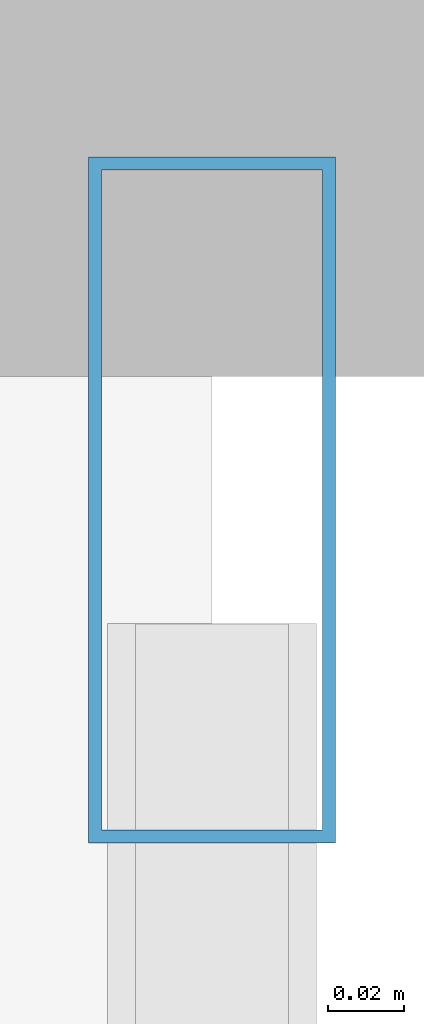
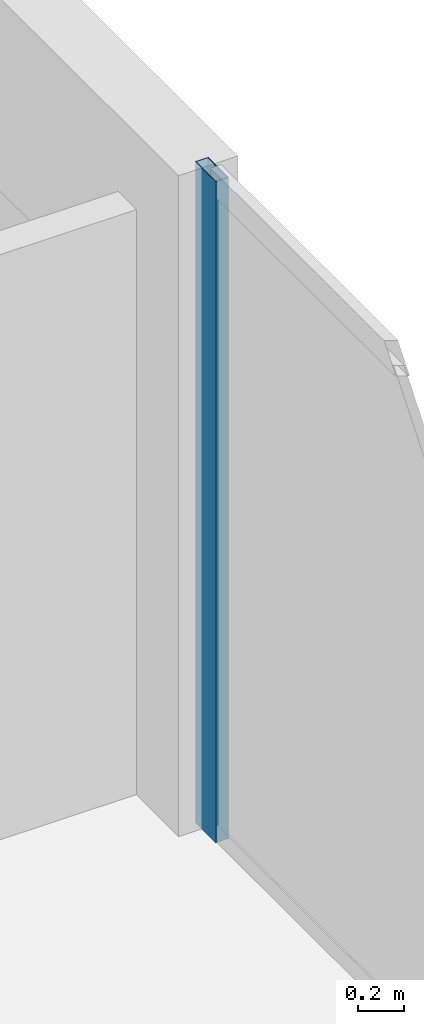
# One storey, part 21 of 32: 1 member, 1 element without a shape of its own.
"""IFC4 building model written with IfcOpenShell, lengths in metres."""

from ifc_helpers import new_model, si_unit, direction, frame, origin, origin_2d, place, context, subcontext, project, spatial, hollow_rectangle, extrude, material, layer, layer_set, material_profile, profile_set, type_object, element, aggregate, save


model = new_model("IFC4")

# Units and contexts
model_context = context("Model", 3, precision=1e-05, world=origin(), true_north=direction((0.0, 1.0)))
body_context = subcontext(model_context, "Body", "Model", "MODEL_VIEW")
ifc_project = project(units=[si_unit("LENGTHUNIT", "METRE"), si_unit("AREAUNIT", "SQUARE_METRE"), si_unit("VOLUMEUNIT", "CUBIC_METRE"), si_unit("PLANEANGLEUNIT", "RADIAN"), si_unit("MASSUNIT", "GRAM", prefix="KILO")], contexts=[model_context])

# Site, building, storey
site_placement = place(None, origin())
site = spatial("IfcSite", under=ifc_project, at=site_placement, CompositionType="ELEMENT")
building_placement = place(site_placement, origin())
building = spatial("IfcBuilding", under=site, at=building_placement, Name="Zuhayl Quay Hotel", CompositionType="ELEMENT")
storey_placement = place(building_placement, frame((0.0, 0.0, 203.64990234375)))
storey = spatial("IfcBuildingStorey", under=building, at=storey_placement, Name="L51", CompositionType="ELEMENT", Elevation=203.64990234375)

# Curtain wall, member
ifc_material_1 = material(Name="Anodised Aluminium 6063-T6", Category="aluminium")
ifc_layer = layer(ifc_material_1, 0.175048828125, Name="Anodised Aluminium 6063-T6", Category="aluminium")
ifc_layer_set = layer_set([ifc_layer], Name="Anodised Aluminium 6063-T6")
curtain_wall_type = type_object("IfcCurtainWallType", Name="CW_SYS_Z3", PredefinedType="USERDEFINED", material=ifc_layer_set)
curtain_wall_placement = place(storey_placement, origin())
curtain_wall = element("IfcCurtainWall", 1, at=curtain_wall_placement, inside=storey, type_object=curtain_wall_type, Name="L51 Curtain Wall ENV_L51_E11_CW1", ObjectType="UNITISED CURTAIN WALL", PredefinedType="USERDEFINED")
ifc_material_2 = material(Name="Black-anodised aluminium 6063-T6", Category="aluminium")
ifc_material_profile = material_profile(ifc_material_2, hollow_rectangle(XDim=0.06494140625, YDim=0.179931640625, WallThickness=0.00341796875, at=origin_2d()), Name="ALU180X65")
ifc_profile_set = profile_set([ifc_material_profile], Name="Black-anodised aluminium 6063-T6")
member_type = type_object("IfcMemberType", Name="MB_CW_MUL_180", PredefinedType="MULLION", material=ifc_profile_set)
member_placement = place(storey_placement, frame((22.10009765625, 24.517578125, 0.0), z_axis=(0.0, 0.0, 1.0), x_axis=(1.0, 0.0, 0.0)))
member = element("IfcMember", 2, at=member_placement, type_object=member_type, Name="CW-Z3 mullion 1", PredefinedType="MULLION", context=body_context, shape_type="SweptSolid", body=[
    extrude(hollow_rectangle(XDim=0.06494140625, YDim=0.179931640625, WallThickness=0.00341796875, at=origin_2d()), origin(), (0.0, 0.0, 1.0), 3.530029296875),
])
aggregate(curtain_wall, [member])

save(model, "model.ifc")
